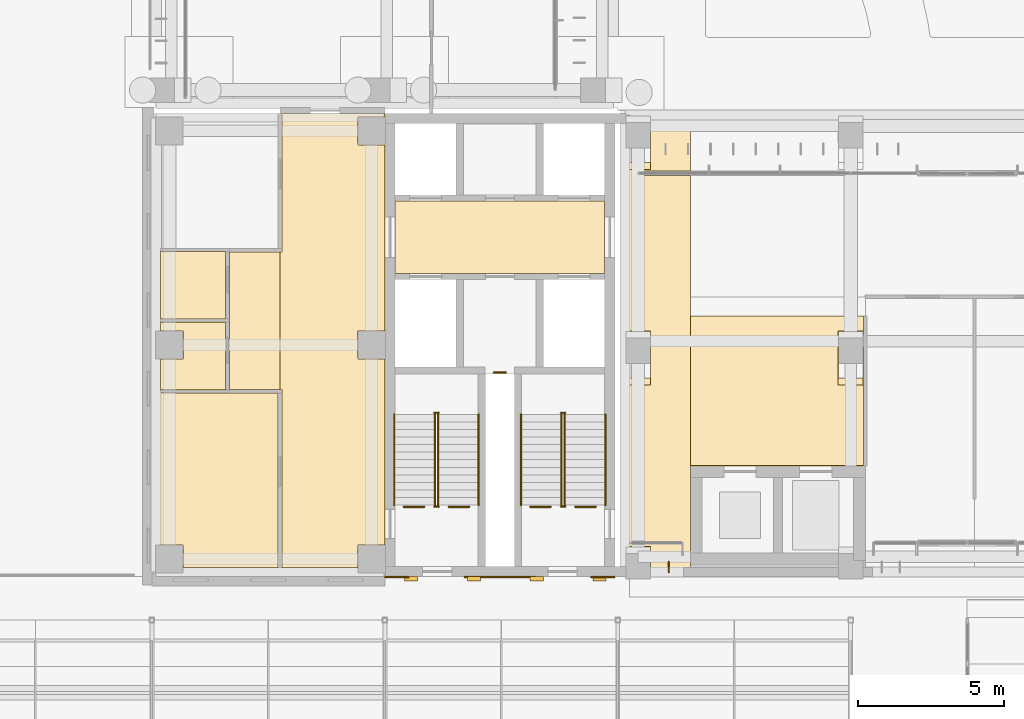
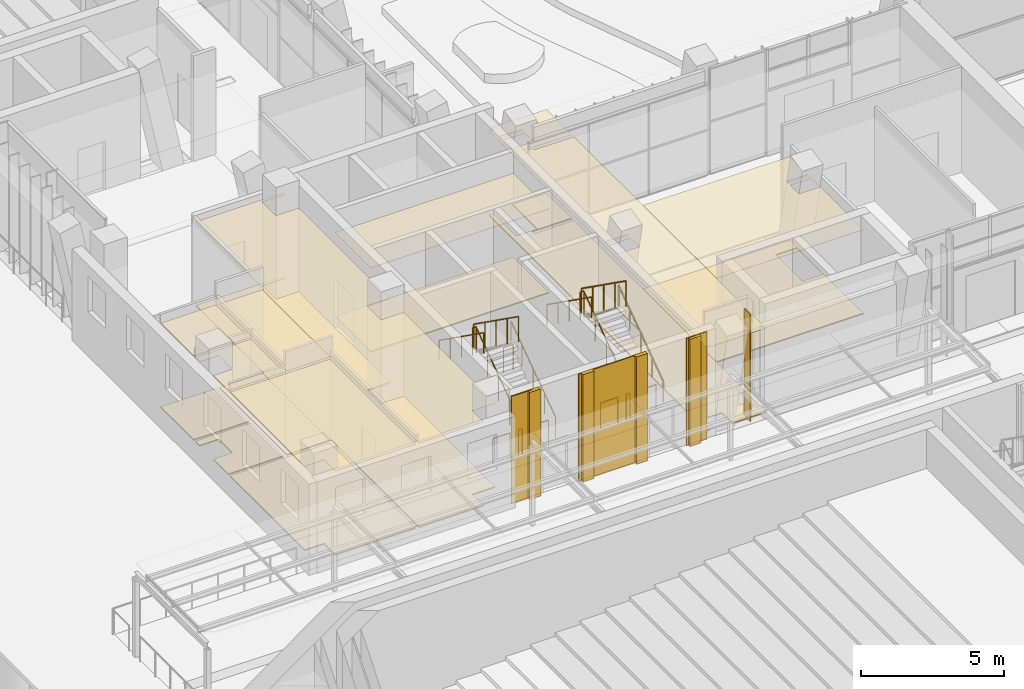
# One storey, part 121 of 144: 23 coverings, 17 railings, 1 shading device.
"""IFC4 building model written with IfcOpenShell, lengths in metres."""

from ifc_helpers import new_model, si_unit, direction, frame, frame_2d, origin, origin_2d, place, context, subcontext, project, spatial, polyline, rectangle, circle, outline, extrude, material, layer, layer_set, type_object, element, save


model = new_model("IFC4")

# Units and contexts
model_context = context("Model", 3, precision=1e-05, world=origin(), true_north=direction((0.0, 1.0)))
body_context = subcontext(model_context, "Body", "Model", "MODEL_VIEW")
ifc_project = project(units=[si_unit("LENGTHUNIT", "METRE"), si_unit("AREAUNIT", "SQUARE_METRE"), si_unit("VOLUMEUNIT", "CUBIC_METRE"), si_unit("PLANEANGLEUNIT", "RADIAN"), si_unit("MASSUNIT", "GRAM", prefix="KILO")], contexts=[model_context])

# Site, building, storey
site_placement = place(None, origin())
site = spatial("IfcSite", under=ifc_project, at=site_placement, CompositionType="ELEMENT")
building_placement = place(site_placement, origin())
building = spatial("IfcBuilding", under=site, at=building_placement, Name="Lantern Court Media Centre", CompositionType="ELEMENT")
storey_placement = place(building_placement, origin())
storey = spatial("IfcBuildingStorey", under=building, at=storey_placement, Name="L00", CompositionType="ELEMENT", Elevation=0.0)

# Coverings
ifc_material_1 = material(Name="Carpet")
ifc_layer_1 = layer(ifc_material_1, 0.050048828125)
ifc_layer_set_1 = layer_set([ifc_layer_1], Name="Carpet")
covering_type_1 = type_object("IfcCoveringType", Name="Carpet floor finish", PredefinedType="FLOORING", material=ifc_layer_set_1)
covering_1_placement = place(storey_placement, origin())
element("IfcCovering", 1, at=covering_1_placement, inside=storey, type_object=covering_type_1, Name="Fire Command Room floor finish", PredefinedType="FLOORING", context=body_context, shape_type="SweptSolid", body=[
    extrude(outline(polyline([(8.300048828125, 54.304931640625), (12.33251953125, 54.29248046875), (12.33251953125, 48.300048828125), (9.080078125, 48.300048828125), (9.07861328125, 49.07861328125), (8.300048828125, 49.080078125), (8.300048828125, 54.304931640625)])), origin(), (0.0, 0.0, 1.0), 0.050048828125),
])
covering_2_placement = place(storey_placement, origin())
element("IfcCovering", 2, at=covering_2_placement, inside=storey, type_object=covering_type_1, Name="WC Male floor finish", PredefinedType="FLOORING", context=body_context, shape_type="SweptSolid", body=[
    extrude(outline(polyline([(8.300048828125, 56.72900390625), (10.532470703125, 56.72900390625), (10.532470703125, 54.4150390625), (8.300048828125, 54.4150390625), (8.300048828125, 55.469970703125), (9.080078125, 55.47509765625), (9.0791015625, 56.427734375), (8.300048828125, 56.429931640625), (8.300048828125, 56.72900390625)])), origin(), (0.0, 0.0, 1.0), 0.050048828125),
])
covering_3_placement = place(storey_placement, origin())
element("IfcCovering", 3, at=covering_3_placement, inside=storey, type_object=covering_type_1, Name="WC Female floor finish", PredefinedType="FLOORING", context=body_context, shape_type="SweptSolid", body=[
    extrude(outline(polyline([(8.300048828125, 59.153076171875), (10.532470703125, 59.153076171875), (10.532470703125, 56.839111328125), (8.300048828125, 56.839111328125), (8.300048828125, 59.153076171875)])), origin(), (0.0, 0.0, 1.0), 0.050048828125),
])

# Railings
ifc_material_2 = material(Name="Powder-coated steel", Category="steel")
railing_type_1 = type_object("IfcRailingType", Name="Floor edge guard 1100", PredefinedType="GUARDRAIL", material=ifc_material_2)
railing_1_placement = place(storey_placement, frame((18.89990234375, 50.390380859375, 0.0)))
element("IfcRailing", 4, at=railing_1_placement, inside=storey, type_object=railing_type_1, Name="L00 opening guard 31", PredefinedType="GUARDRAIL", context=body_context, shape_type="SweptSolid", body=[
    extrude(circle(Radius=0.02392578125, at=origin_2d()), frame((0.0, 0.0, 1.076171875), z_axis=(-1.0, 0.0, 0.0), x_axis=(0.0, -1.0, 0.0)), (0.0, 0.0, 1.0), 0.70361328125),
    extrude(circle(Radius=0.02099609375, at=origin_2d()), origin(), (0.0, 0.0, 1.0), 1.052001953125),
    extrude(circle(Radius=0.02099609375, at=origin_2d()), frame((-0.70361328125, 0.0, 0.0)), (0.0, 0.0, 1.0), 1.052001953125),
])
railing_2_placement = place(storey_placement, frame((17.353759765625, 50.390380859375, 0.0)))
element("IfcRailing", 5, at=railing_2_placement, inside=storey, type_object=railing_type_1, Name="L00 opening guard 32", PredefinedType="GUARDRAIL", context=body_context, shape_type="SweptSolid", body=[
    extrude(circle(Radius=0.02392578125, at=origin_2d()), frame((0.0, 0.0, 1.076171875), z_axis=(-1.0, 0.0, 0.0), x_axis=(0.0, -1.0, 0.0)), (0.0, 0.0, 1.0), 0.703857421875),
    extrude(circle(Radius=0.02099609375, at=origin_2d()), origin(), (0.0, 0.0, 1.0), 1.052001953125),
    extrude(circle(Radius=0.02099609375, at=origin_2d()), frame((-0.703857421875, 0.0, 0.0)), (0.0, 0.0, 1.0), 1.052001953125),
])
for number, where, name in (
    (6, (23.25, 50.390380859375, 0.0), "L00 opening guard 33"),
    (7, (21.70361328125, 50.390380859375, 0.0), "L00 opening guard 34"),
):
    element("IfcRailing", number, at=place(storey_placement, frame(where)), inside=storey, type_object=railing_type_1, Name=name, PredefinedType="GUARDRAIL", context=body_context, shape_type="SweptSolid", body=[
        extrude(circle(Radius=0.02392578125, at=origin_2d()), frame((0.0, 0.0, 1.076171875), z_axis=(-1.0, 0.0, 0.0), x_axis=(0.0, -1.0, 0.0)), (0.0, 0.0, 1.0), 0.70361328125),
        extrude(circle(Radius=0.02099609375, at=origin_2d()), origin(), (0.0, 0.0, 1.0), 1.052001953125),
        extrude(circle(Radius=0.02099609375, at=origin_2d()), frame((-0.70361328125, 0.0, 0.0)), (0.0, 0.0, 1.0), 1.052001953125),
    ])
railing_3_placement = place(storey_placement, frame((20.14990234375, 55.010009765625, 0.0)))
element("IfcRailing", 8, at=railing_3_placement, inside=storey, type_object=railing_type_1, Name="L00 opening guard 35", PredefinedType="GUARDRAIL", context=body_context, shape_type="SweptSolid", body=[
    extrude(circle(Radius=0.02392578125, at=origin_2d()), frame((0.0, 0.0, 1.076171875), z_axis=(-1.0, 0.0, 0.0), x_axis=(0.0, -1.0, 0.0)), (0.0, 0.0, 1.0), 0.39990234375),
    extrude(circle(Radius=0.02099609375, at=origin_2d()), origin(), (0.0, 0.0, 1.0), 1.052001953125),
    extrude(circle(Radius=0.02099609375, at=origin_2d()), frame((-0.39990234375, 0.0, 0.0)), (0.0, 0.0, 1.0), 1.052001953125),
])

# Coverings
ifc_material_3 = material(Name="Honed limestone cladding", Category="masonry")
ifc_layer_2 = layer(ifc_material_3, 0.050048828125)
ifc_layer_set_2 = layer_set([ifc_layer_2], Name="Honed limestone cladding")
covering_type_2 = type_object("IfcCoveringType", Name="Limestone cladding panel 50", PredefinedType="CLADDING", material=ifc_layer_set_2)
covering_4_placement = place(storey_placement, frame((16.0, 47.97509765625, 0.0), z_axis=(0.0, 0.0, 1.0), x_axis=(1.0, 0.0, 0.0)))
element("IfcCovering", 9, at=covering_4_placement, inside=storey, type_object=covering_type_2, Name="Limestone cladding SW stair core", PredefinedType="CLADDING", context=body_context, shape_type="SweptSolid", body=[
    extrude(rectangle(XDim=0.824951171875, YDim=0.050048828125, at=frame_2d((0.41259765625, 0.0))), origin(), (0.0, 0.0, 1.0), 4.580078125),
])
covering_5_placement = place(storey_placement, frame((18.72509765625, 47.97509765625, 0.0), z_axis=(0.0, 0.0, 1.0), x_axis=(1.0, 0.0, 0.0)))
element("IfcCovering", 10, at=covering_5_placement, inside=storey, type_object=covering_type_2, Name="Limestone cladding SW stair core", PredefinedType="CLADDING", context=body_context, shape_type="SweptSolid", body=[
    extrude(rectangle(XDim=2.449951171875, YDim=0.050048828125, at=frame_2d((1.22509765625, 0.0))), origin(), (0.0, 0.0, 1.0), 4.580078125),
])
covering_6_placement = place(storey_placement, frame((23.074951171875, 47.97509765625, 0.0), z_axis=(0.0, 0.0, 1.0), x_axis=(1.0, 0.0, 0.0)))
element("IfcCovering", 11, at=covering_6_placement, inside=storey, type_object=covering_type_2, Name="Limestone cladding SW stair core", PredefinedType="CLADDING", context=body_context, shape_type="SweptSolid", body=[
    extrude(rectangle(XDim=0.824951171875, YDim=0.050048828125, at=frame_2d((0.41259765625, 0.0))), origin(), (0.0, 0.0, 1.0), 4.580078125),
])
ifc_layer_3 = layer(ifc_material_3, 0.14990234375)
ifc_layer_set_3 = layer_set([ifc_layer_3], Name="Honed limestone cladding")
covering_type_3 = type_object("IfcCoveringType", Name="Limestone pilaster cladding 150", PredefinedType="CLADDING", material=ifc_layer_set_3)
covering_7_placement = place(storey_placement, frame((16.675048828125, 47.925048828125, 0.0), z_axis=(0.0, 0.0, 1.0), x_axis=(1.0, 0.0, 0.0)))
element("IfcCovering", 12, at=covering_7_placement, inside=storey, type_object=covering_type_3, Name="Limestone pilaster rib", PredefinedType="CLADDING", context=body_context, shape_type="SweptSolid", body=[
    extrude(rectangle(XDim=0.449951171875, YDim=0.14990234375, at=frame_2d((0.22509765625, 0.0))), origin(), (0.0, 0.0, 1.0), 4.580078125),
])
covering_8_placement = place(storey_placement, frame((18.833251953125, 47.925048828125, 0.0), z_axis=(0.0, 0.0, 1.0), x_axis=(1.0, 0.0, 0.0)))
element("IfcCovering", 13, at=covering_8_placement, inside=storey, type_object=covering_type_3, Name="Limestone pilaster rib", PredefinedType="CLADDING", context=body_context, shape_type="SweptSolid", body=[
    extrude(rectangle(XDim=0.4501953125, YDim=0.14990234375, at=frame_2d((0.22509765625, 0.0))), origin(), (0.0, 0.0, 1.0), 4.580078125),
])
covering_9_placement = place(storey_placement, frame((20.99169921875, 47.925048828125, 0.0), z_axis=(0.0, 0.0, 1.0), x_axis=(1.0, 0.0, 0.0)))
element("IfcCovering", 14, at=covering_9_placement, inside=storey, type_object=covering_type_3, Name="Limestone pilaster rib", PredefinedType="CLADDING", context=body_context, shape_type="SweptSolid", body=[
    extrude(rectangle(XDim=0.449951171875, YDim=0.14990234375, at=frame_2d((0.22509765625, 0.0))), origin(), (0.0, 0.0, 1.0), 4.580078125),
])
covering_10_placement = place(storey_placement, frame((23.14990234375, 47.925048828125, 0.0), z_axis=(0.0, 0.0, 1.0), x_axis=(1.0, 0.0, 0.0)))
element("IfcCovering", 15, at=covering_10_placement, inside=storey, type_object=covering_type_3, Name="Limestone pilaster rib", PredefinedType="CLADDING", context=body_context, shape_type="SweptSolid", body=[
    extrude(rectangle(XDim=0.4501953125, YDim=0.14990234375, at=frame_2d((0.22509765625, 0.0))), origin(), (0.0, 0.0, 1.0), 4.580078125),
])

# Railings
railing_type_2 = type_object("IfcRailingType", Name="Stair guard 1100", PredefinedType="GUARDRAIL", material=ifc_material_2)
railing_4_placement = place(storey_placement, frame((17.825927734375, 50.449951171875, 0.1845703125)))
element("IfcRailing", 16, at=railing_4_placement, inside=storey, type_object=railing_type_2, Name="L00 ST-SWA stair guard 1", PredefinedType="GUARDRAIL", context=body_context, shape_type="SweptSolid", body=[
    extrude(circle(Radius=0.02392578125, at=origin_2d()), frame((0.0, 0.0, 1.076171875), z_axis=(0.0, 0.815376961211, 0.578930402662), x_axis=(-1.0, 0.0, 0.0)), (0.0, 0.0, 1.0), 3.82666015625),
    extrude(circle(Radius=0.02099609375, at=origin_2d()), origin(), (0.0, 0.0, 1.0), 1.052001953125),
    extrude(circle(Radius=0.02099609375, at=origin_2d()), frame((0.0, 0.780029296875, 0.5537109375)), (0.0, 0.0, 1.0), 1.052001953125),
    extrude(circle(Radius=0.02099609375, at=origin_2d()), frame((0.0, 1.56005859375, 1.107666015625)), (0.0, 0.0, 1.0), 1.052001953125),
    extrude(circle(Radius=0.02099609375, at=origin_2d()), frame((0.0, 2.340087890625, 1.66162109375)), (0.0, 0.0, 1.0), 1.052001953125),
    extrude(circle(Radius=0.02099609375, at=origin_2d()), frame((0.0, 3.1201171875, 2.21533203125)), (0.0, 0.0, 1.0), 1.052001953125),
])
railing_5_placement = place(storey_placement, frame((17.85009765625, 53.6201171875, 2.39990234375)))
element("IfcRailing", 17, at=railing_5_placement, inside=storey, type_object=railing_type_2, Name="L00 ST-SWA stair guard 2", PredefinedType="GUARDRAIL", context=body_context, shape_type="SweptSolid", body=[
    extrude(circle(Radius=0.02392578125, at=origin_2d()), frame((0.0, 0.0, 1.076171875), z_axis=(-1.0, 0.0, 0.0), x_axis=(0.0, -1.0, 0.0)), (0.0, 0.0, 1.0), 0.150146484375),
    extrude(circle(Radius=0.02099609375, at=origin_2d()), origin(), (0.0, 0.0, 1.0), 1.052001953125),
    extrude(circle(Radius=0.02099609375, at=origin_2d()), frame((-0.150146484375, 0.0, 0.0)), (0.0, 0.0, 1.0), 1.052001953125),
])
railing_6_placement = place(storey_placement, frame((17.72412109375, 53.570068359375, 2.584716796875)))
element("IfcRailing", 18, at=railing_6_placement, inside=storey, type_object=railing_type_2, Name="L00 ST-SWA stair guard 3", PredefinedType="GUARDRAIL", context=body_context, shape_type="SweptSolid", body=[
    extrude(circle(Radius=0.02392578125, at=origin_2d()), frame((0.0, 0.0, 1.076171875), z_axis=(0.0, -0.815376961211, 0.578930402662), x_axis=(1.0, 0.0, 0.0)), (0.0, 0.0, 1.0), 3.82666015625),
    extrude(circle(Radius=0.02099609375, at=origin_2d()), origin(), (0.0, 0.0, 1.0), 1.052001953125),
    extrude(circle(Radius=0.02099609375, at=origin_2d()), frame((0.0, -0.780029296875, 0.5537109375)), (0.0, 0.0, 1.0), 1.052001953125),
    extrude(circle(Radius=0.02099609375, at=origin_2d()), frame((0.0, -1.56005859375, 1.107666015625)), (0.0, 0.0, 1.0), 1.052001953125),
    extrude(circle(Radius=0.02099609375, at=origin_2d()), frame((0.0, -2.340087890625, 1.66162109375)), (0.0, 0.0, 1.0), 1.052001953125),
    extrude(circle(Radius=0.02099609375, at=origin_2d()), frame((0.0, -3.1201171875, 2.21533203125)), (0.0, 0.0, 1.0), 1.052001953125),
])
railing_7_placement = place(storey_placement, frame((17.85009765625, 50.39990234375, 0.0)))
element("IfcRailing", 19, at=railing_7_placement, inside=storey, type_object=railing_type_2, Name="L00 ST-SWA stair guard 4", PredefinedType="GUARDRAIL", context=body_context, shape_type="SweptSolid", body=[
    extrude(circle(Radius=0.02392578125, at=origin_2d()), frame((0.0, 0.0, 1.076171875), z_axis=(-1.0, 0.0, 0.0), x_axis=(0.0, -1.0, 0.0)), (0.0, 0.0, 1.0), 0.150146484375),
    extrude(circle(Radius=0.02099609375, at=origin_2d()), origin(), (0.0, 0.0, 1.0), 1.052001953125),
    extrude(circle(Radius=0.02099609375, at=origin_2d()), frame((-0.150146484375, 0.0, 0.0)), (0.0, 0.0, 1.0), 1.052001953125),
])
railing_8_placement = place(storey_placement, frame((22.176025390625, 50.449951171875, 0.1845703125)))
element("IfcRailing", 20, at=railing_8_placement, inside=storey, type_object=railing_type_2, Name="L00 ST-SWB stair guard 1", PredefinedType="GUARDRAIL", context=body_context, shape_type="SweptSolid", body=[
    extrude(circle(Radius=0.02392578125, at=origin_2d()), frame((0.0, 0.0, 1.076171875), z_axis=(0.0, 0.815376961211, 0.578930402662), x_axis=(-1.0, 0.0, 0.0)), (0.0, 0.0, 1.0), 3.82666015625),
    extrude(circle(Radius=0.02099609375, at=origin_2d()), origin(), (0.0, 0.0, 1.0), 1.052001953125),
    extrude(circle(Radius=0.02099609375, at=origin_2d()), frame((0.0, 0.780029296875, 0.5537109375)), (0.0, 0.0, 1.0), 1.052001953125),
    extrude(circle(Radius=0.02099609375, at=origin_2d()), frame((0.0, 1.56005859375, 1.107666015625)), (0.0, 0.0, 1.0), 1.052001953125),
    extrude(circle(Radius=0.02099609375, at=origin_2d()), frame((0.0, 2.340087890625, 1.66162109375)), (0.0, 0.0, 1.0), 1.052001953125),
    extrude(circle(Radius=0.02099609375, at=origin_2d()), frame((0.0, 3.1201171875, 2.21533203125)), (0.0, 0.0, 1.0), 1.052001953125),
])
railing_9_placement = place(storey_placement, frame((22.199951171875, 53.6201171875, 2.39990234375)))
element("IfcRailing", 21, at=railing_9_placement, inside=storey, type_object=railing_type_2, Name="L00 ST-SWB stair guard 2", PredefinedType="GUARDRAIL", context=body_context, shape_type="SweptSolid", body=[
    extrude(circle(Radius=0.02392578125, at=origin_2d()), frame((0.0, 0.0, 1.076171875), z_axis=(-1.0, 0.0, 0.0), x_axis=(0.0, -1.0, 0.0)), (0.0, 0.0, 1.0), 0.14990234375),
    extrude(circle(Radius=0.02099609375, at=origin_2d()), origin(), (0.0, 0.0, 1.0), 1.052001953125),
    extrude(circle(Radius=0.02099609375, at=origin_2d()), frame((-0.14990234375, 0.0, 0.0)), (0.0, 0.0, 1.0), 1.052001953125),
])
railing_10_placement = place(storey_placement, frame((22.073974609375, 53.570068359375, 2.584716796875)))
element("IfcRailing", 22, at=railing_10_placement, inside=storey, type_object=railing_type_2, Name="L00 ST-SWB stair guard 3", PredefinedType="GUARDRAIL", context=body_context, shape_type="SweptSolid", body=[
    extrude(circle(Radius=0.02392578125, at=origin_2d()), frame((0.0, 0.0, 1.076171875), z_axis=(0.0, -0.815376961211, 0.578930402662), x_axis=(1.0, 0.0, 0.0)), (0.0, 0.0, 1.0), 3.82666015625),
    extrude(circle(Radius=0.02099609375, at=origin_2d()), origin(), (0.0, 0.0, 1.0), 1.052001953125),
    extrude(circle(Radius=0.02099609375, at=origin_2d()), frame((0.0, -0.780029296875, 0.5537109375)), (0.0, 0.0, 1.0), 1.052001953125),
    extrude(circle(Radius=0.02099609375, at=origin_2d()), frame((0.0, -1.56005859375, 1.107666015625)), (0.0, 0.0, 1.0), 1.052001953125),
    extrude(circle(Radius=0.02099609375, at=origin_2d()), frame((0.0, -2.340087890625, 1.66162109375)), (0.0, 0.0, 1.0), 1.052001953125),
    extrude(circle(Radius=0.02099609375, at=origin_2d()), frame((0.0, -3.1201171875, 2.21533203125)), (0.0, 0.0, 1.0), 1.052001953125),
])
railing_11_placement = place(storey_placement, frame((22.199951171875, 50.39990234375, 0.0)))
element("IfcRailing", 23, at=railing_11_placement, inside=storey, type_object=railing_type_2, Name="L00 ST-SWB stair guard 4", PredefinedType="GUARDRAIL", context=body_context, shape_type="SweptSolid", body=[
    extrude(circle(Radius=0.02392578125, at=origin_2d()), frame((0.0, 0.0, 1.076171875), z_axis=(-1.0, 0.0, 0.0), x_axis=(0.0, -1.0, 0.0)), (0.0, 0.0, 1.0), 0.14990234375),
    extrude(circle(Radius=0.02099609375, at=origin_2d()), origin(), (0.0, 0.0, 1.0), 1.052001953125),
    extrude(circle(Radius=0.02099609375, at=origin_2d()), frame((-0.14990234375, 0.0, 0.0)), (0.0, 0.0, 1.0), 1.052001953125),
])
railing_type_3 = type_object("IfcRailingType", Name="Stair handrail 900", PredefinedType="HANDRAIL", material=ifc_material_2)
railing_12_placement = place(storey_placement, frame((19.22412109375, 50.449951171875, 0.1845703125)))
element("IfcRailing", 24, at=railing_12_placement, inside=storey, type_object=railing_type_3, Name="L00 ST-SWA stair handrail 1", PredefinedType="HANDRAIL", context=body_context, shape_type="SweptSolid", body=[
    extrude(circle(Radius=0.02392578125, at=origin_2d()), frame((0.0, 0.0, 0.8759765625), z_axis=(0.0, 0.815376961211, 0.578930402662), x_axis=(-1.0, 0.0, 0.0)), (0.0, 0.0, 1.0), 3.82666015625),
    extrude(circle(Radius=0.02099609375, at=origin_2d()), origin(), (0.0, 0.0, 1.0), 0.851806640625),
    extrude(circle(Radius=0.02099609375, at=origin_2d()), frame((0.0, 0.780029296875, 0.5537109375)), (0.0, 0.0, 1.0), 0.851806640625),
    extrude(circle(Radius=0.02099609375, at=origin_2d()), frame((0.0, 1.56005859375, 1.107666015625)), (0.0, 0.0, 1.0), 0.851806640625),
    extrude(circle(Radius=0.02099609375, at=origin_2d()), frame((0.0, 2.340087890625, 1.66162109375)), (0.0, 0.0, 1.0), 0.851806640625),
    extrude(circle(Radius=0.02099609375, at=origin_2d()), frame((0.0, 3.1201171875, 2.21533203125)), (0.0, 0.0, 1.0), 0.851806640625),
])
railing_13_placement = place(storey_placement, frame((16.325927734375, 53.570068359375, 2.584716796875)))
element("IfcRailing", 25, at=railing_13_placement, inside=storey, type_object=railing_type_3, Name="L00 ST-SWA stair handrail 2", PredefinedType="HANDRAIL", context=body_context, shape_type="SweptSolid", body=[
    extrude(circle(Radius=0.02392578125, at=origin_2d()), frame((0.0, 0.0, 0.8759765625), z_axis=(0.0, -0.815376961211, 0.578930402662), x_axis=(1.0, 0.0, 0.0)), (0.0, 0.0, 1.0), 3.82666015625),
    extrude(circle(Radius=0.02099609375, at=origin_2d()), origin(), (0.0, 0.0, 1.0), 0.851806640625),
    extrude(circle(Radius=0.02099609375, at=origin_2d()), frame((0.0, -0.780029296875, 0.5537109375)), (0.0, 0.0, 1.0), 0.851806640625),
    extrude(circle(Radius=0.02099609375, at=origin_2d()), frame((0.0, -1.56005859375, 1.107666015625)), (0.0, 0.0, 1.0), 0.851806640625),
    extrude(circle(Radius=0.02099609375, at=origin_2d()), frame((0.0, -2.340087890625, 1.66162109375)), (0.0, 0.0, 1.0), 0.851806640625),
    extrude(circle(Radius=0.02099609375, at=origin_2d()), frame((0.0, -3.1201171875, 2.21533203125)), (0.0, 0.0, 1.0), 0.851806640625),
])
railing_14_placement = place(storey_placement, frame((23.573974609375, 50.449951171875, 0.1845703125)))
element("IfcRailing", 26, at=railing_14_placement, inside=storey, type_object=railing_type_3, Name="L00 ST-SWB stair handrail 1", PredefinedType="HANDRAIL", context=body_context, shape_type="SweptSolid", body=[
    extrude(circle(Radius=0.02392578125, at=origin_2d()), frame((0.0, 0.0, 0.8759765625), z_axis=(0.0, 0.815376961211, 0.578930402662), x_axis=(-1.0, 0.0, 0.0)), (0.0, 0.0, 1.0), 3.82666015625),
    extrude(circle(Radius=0.02099609375, at=origin_2d()), origin(), (0.0, 0.0, 1.0), 0.851806640625),
    extrude(circle(Radius=0.02099609375, at=origin_2d()), frame((0.0, 0.780029296875, 0.5537109375)), (0.0, 0.0, 1.0), 0.851806640625),
    extrude(circle(Radius=0.02099609375, at=origin_2d()), frame((0.0, 1.56005859375, 1.107666015625)), (0.0, 0.0, 1.0), 0.851806640625),
    extrude(circle(Radius=0.02099609375, at=origin_2d()), frame((0.0, 2.340087890625, 1.66162109375)), (0.0, 0.0, 1.0), 0.851806640625),
    extrude(circle(Radius=0.02099609375, at=origin_2d()), frame((0.0, 3.1201171875, 2.21533203125)), (0.0, 0.0, 1.0), 0.851806640625),
])
railing_15_placement = place(storey_placement, frame((20.676025390625, 53.570068359375, 2.584716796875)))
element("IfcRailing", 27, at=railing_15_placement, inside=storey, type_object=railing_type_3, Name="L00 ST-SWB stair handrail 2", PredefinedType="HANDRAIL", context=body_context, shape_type="SweptSolid", body=[
    extrude(circle(Radius=0.02392578125, at=origin_2d()), frame((0.0, 0.0, 0.8759765625), z_axis=(0.0, -0.815376961211, 0.578930402662), x_axis=(1.0, 0.0, 0.0)), (0.0, 0.0, 1.0), 3.82666015625),
    extrude(circle(Radius=0.02099609375, at=origin_2d()), origin(), (0.0, 0.0, 1.0), 0.851806640625),
    extrude(circle(Radius=0.02099609375, at=origin_2d()), frame((0.0, -0.780029296875, 0.5537109375)), (0.0, 0.0, 1.0), 0.851806640625),
    extrude(circle(Radius=0.02099609375, at=origin_2d()), frame((0.0, -1.56005859375, 1.107666015625)), (0.0, 0.0, 1.0), 0.851806640625),
    extrude(circle(Radius=0.02099609375, at=origin_2d()), frame((0.0, -2.340087890625, 1.66162109375)), (0.0, 0.0, 1.0), 0.851806640625),
    extrude(circle(Radius=0.02099609375, at=origin_2d()), frame((0.0, -3.1201171875, 2.21533203125)), (0.0, 0.0, 1.0), 0.851806640625),
])

# Coverings
ifc_material_4 = material(Name="Mineral fibre ceiling tile")
ifc_layer_4 = layer(ifc_material_4, 0.02001953125)
ifc_layer_set_4 = layer_set([ifc_layer_4], Name="Mineral fibre ceiling tile")
covering_type_4 = type_object("IfcCoveringType", Name="Suspended ceiling tile", PredefinedType="CEILING", material=ifc_layer_set_4)
covering_11_placement = place(storey_placement, frame((0.0, 0.0, 3.60009765625)))
element("IfcCovering", 28, at=covering_11_placement, inside=storey, type_object=covering_type_4, Name="End Lobby ceiling", PredefinedType="CEILING", context=body_context, shape_type="SweptSolid", body=[
    extrude(outline(polyline([(26.5, 48.300537109375), (24.275390625, 48.300048828125), (24.275146484375, 48.3505859375), (24.10009765625, 48.3505859375), (24.10009765625, 63.549560546875), (24.275390625, 63.549560546875), (24.275390625, 63.699951171875), (26.5, 63.699951171875), (26.5, 61.925537109375), (24.8994140625, 61.925048828125), (24.89990234375, 61.7744140625), (26.5, 61.7744140625), (26.5, 48.300537109375)]), holes=[polyline([(25.125, 54.822509765625), (25.125244140625, 55.425537109375), (24.274658203125, 55.42529296875), (24.274658203125, 54.822509765625), (25.125, 54.822509765625)]), polyline([(25.125, 62.222412109375), (25.125244140625, 62.825439453125), (24.274658203125, 62.8251953125), (24.274658203125, 62.222412109375), (25.125, 62.222412109375)]), polyline([(25.125, 62.974609375), (25.125, 63.073486328125), (24.2744140625, 63.072998046875), (24.27490234375, 62.974609375), (25.125, 62.974609375)]), polyline([(25.125, 55.574462890625), (25.125, 55.67333984375), (24.2744140625, 55.6728515625), (24.27490234375, 55.574462890625), (25.125, 55.574462890625)])]), origin(), (0.0, 0.0, 1.0), 0.02001953125),
])
covering_12_placement = place(storey_placement, frame((0.0, 0.0, 3.60009765625)))
element("IfcCovering", 29, at=covering_12_placement, inside=storey, type_object=covering_type_4, Name="Lift Lobby ceiling", PredefinedType="CEILING", context=body_context, shape_type="SweptSolid", body=[
    extrude(outline(polyline([(26.5, 56.949951171875), (32.43701171875, 56.949951171875), (32.43701171875, 51.800537109375), (26.5, 51.800537109375), (26.5, 56.949951171875)]), holes=[polyline([(32.425048828125, 54.822509765625), (32.42529296875, 55.425537109375), (31.574462890625, 55.42529296875), (31.57470703125, 54.822509765625), (32.425048828125, 54.822509765625)]), polyline([(32.425048828125, 55.574462890625), (32.425048828125, 55.67333984375), (31.574462890625, 55.6728515625), (31.574951171875, 55.574462890625), (32.425048828125, 55.574462890625)])]), origin(), (0.0, 0.0, 1.0), 0.02001953125),
])
covering_13_placement = place(storey_placement, frame((0.0, 0.0, 3.60009765625)))
element("IfcCovering", 30, at=covering_13_placement, inside=storey, type_object=covering_type_4, Name="Lift Lobby ceiling", PredefinedType="CEILING", context=body_context, shape_type="SweptSolid", body=[
    extrude(outline(polyline([(16.3505859375, 60.8994140625), (23.549560546875, 60.8994140625), (23.549560546875, 58.400390625), (16.3505859375, 58.400390625), (16.3505859375, 60.8994140625)])), origin(), (0.0, 0.0, 1.0), 0.02001953125),
])
covering_14_placement = place(storey_placement, frame((0.0, 0.0, 3.60009765625)))
element("IfcCovering", 31, at=covering_14_placement, inside=storey, type_object=covering_type_4, Name="Corridor ceiling", PredefinedType="CEILING", context=body_context, shape_type="SweptSolid", body=[
    extrude(outline(polyline([(12.39990234375, 59.14501953125), (12.462890625, 59.1455078125), (12.462890625, 63.8994140625), (15.99951171875, 63.8994140625), (15.99951171875, 63.775390625), (15.074462890625, 63.775146484375), (15.07470703125, 62.82470703125), (15.99951171875, 62.824462890625), (15.99951171875, 56.425537109375), (15.074462890625, 56.425048828125), (15.07470703125, 55.474609375), (15.99951171875, 55.474609375), (15.99951171875, 49.075439453125), (15.07470703125, 49.075439453125), (15.074462890625, 48.300048828125), (12.462890625, 48.300048828125), (12.462890625, 54.422607421875), (12.39990234375, 54.423095703125), (12.39990234375, 59.14501953125)])), origin(), (0.0, 0.0, 1.0), 0.02001953125),
])
covering_15_placement = place(storey_placement, frame((0.0, 0.0, 3.60009765625)))
element("IfcCovering", 32, at=covering_15_placement, inside=storey, type_object=covering_type_4, Name="Fire Command Room ceiling", PredefinedType="CEILING", context=body_context, shape_type="SweptSolid", body=[
    extrude(outline(polyline([(8.300048828125, 54.3095703125), (12.3369140625, 54.297119140625), (12.3369140625, 48.300048828125), (9.075439453125, 48.300048828125), (9.075439453125, 49.075439453125), (8.300048828125, 49.075439453125), (8.300048828125, 54.3095703125)])), origin(), (0.0, 0.0, 1.0), 0.02001953125),
])
covering_16_placement = place(storey_placement, frame((0.0, 0.0, 3.60009765625)))
element("IfcCovering", 33, at=covering_16_placement, inside=storey, type_object=covering_type_4, Name="WC Lobby ceiling", PredefinedType="CEILING", context=body_context, shape_type="SweptSolid", body=[
    extrude(outline(polyline([(12.39990234375, 54.423095703125), (10.6630859375, 54.423095703125), (10.6630859375, 59.14501953125), (12.39990234375, 59.14501953125), (12.39990234375, 54.423095703125)])), origin(), (0.0, 0.0, 1.0), 0.02001953125),
])
covering_17_placement = place(storey_placement, frame((0.0, 0.0, 3.60009765625)))
element("IfcCovering", 34, at=covering_17_placement, inside=storey, type_object=covering_type_4, Name="WC Male ceiling", PredefinedType="CEILING", context=body_context, shape_type="SweptSolid", body=[
    extrude(outline(polyline([(8.300048828125, 56.7333984375), (10.537109375, 56.7333984375), (10.537109375, 54.410400390625), (8.300048828125, 54.410400390625), (8.300048828125, 55.474609375), (9.075439453125, 55.47509765625), (9.075439453125, 56.42529296875), (8.300048828125, 56.425537109375), (8.300048828125, 56.7333984375)])), origin(), (0.0, 0.0, 1.0), 0.02001953125),
])
covering_18_placement = place(storey_placement, frame((0.0, 0.0, 3.60009765625)))
element("IfcCovering", 35, at=covering_18_placement, inside=storey, type_object=covering_type_4, Name="WC Female ceiling", PredefinedType="CEILING", context=body_context, shape_type="SweptSolid", body=[
    extrude(outline(polyline([(8.300048828125, 59.157470703125), (10.537109375, 59.157470703125), (10.537109375, 56.83447265625), (8.300048828125, 56.83447265625), (8.300048828125, 59.157470703125)])), origin(), (0.0, 0.0, 1.0), 0.02001953125),
])
ifc_material_5 = material(Name="Terrazzo")
ifc_layer_5 = layer(ifc_material_5, 0.050048828125)
ifc_layer_set_5 = layer_set([ifc_layer_5], Name="Terrazzo")
covering_type_5 = type_object("IfcCoveringType", Name="Terrazzo floor finish", PredefinedType="FLOORING", material=ifc_layer_set_5)
covering_19_placement = place(storey_placement, origin())
element("IfcCovering", 36, at=covering_19_placement, inside=storey, type_object=covering_type_5, Name="End Lobby floor finish", PredefinedType="FLOORING", context=body_context, shape_type="SweptSolid", body=[
    extrude(outline(polyline([(26.5, 48.304931640625), (25.1298828125, 48.300048828125), (25.125, 49.030029296875), (24.272216796875, 49.029052734375), (24.27001953125, 48.35498046875), (24.10009765625, 48.35498046875), (24.10009765625, 63.544921875), (24.27001953125, 63.544921875), (24.270751953125, 61.97216796875), (25.1259765625, 61.97021484375), (25.1298828125, 63.699951171875), (26.5, 63.699951171875), (26.5, 61.929931640625), (24.89501953125, 61.925048828125), (24.8994140625, 61.77001953125), (26.5, 61.77001953125), (26.5, 48.304931640625)]), holes=[polyline([(24.27001953125, 54.574951171875), (25.129638671875, 54.572998046875), (25.126953125, 56.4296875), (24.270263671875, 56.427001953125), (24.27001953125, 54.574951171875)])]), origin(), (0.0, 0.0, 1.0), 0.050048828125),
])
covering_20_placement = place(storey_placement, origin())
element("IfcCovering", 37, at=covering_20_placement, inside=storey, type_object=covering_type_5, Name="Lift Lobby floor finish", PredefinedType="FLOORING", context=body_context, shape_type="SweptSolid", body=[
    extrude(outline(polyline([(26.5, 56.949951171875), (32.4326171875, 56.949951171875), (32.4326171875, 51.804931640625), (26.5, 51.804931640625), (26.5, 56.949951171875)]), holes=[polyline([(31.570068359375, 54.574951171875), (32.4296875, 54.572998046875), (32.427001953125, 56.4296875), (31.5703125, 56.427001953125), (31.570068359375, 54.574951171875)])]), origin(), (0.0, 0.0, 1.0), 0.050048828125),
])
covering_21_placement = place(storey_placement, origin())
element("IfcCovering", 38, at=covering_21_placement, inside=storey, type_object=covering_type_5, Name="Lift Lobby floor finish", PredefinedType="FLOORING", context=body_context, shape_type="SweptSolid", body=[
    extrude(outline(polyline([(16.35498046875, 60.89501953125), (23.544921875, 60.89501953125), (23.544921875, 58.405029296875), (16.35498046875, 58.405029296875), (16.35498046875, 60.89501953125)])), origin(), (0.0, 0.0, 1.0), 0.050048828125),
])
covering_22_placement = place(storey_placement, origin())
element("IfcCovering", 39, at=covering_22_placement, inside=storey, type_object=covering_type_5, Name="Corridor floor finish", PredefinedType="FLOORING", context=body_context, shape_type="SweptSolid", body=[
    extrude(outline(polyline([(12.39990234375, 59.140380859375), (12.467529296875, 59.1455078125), (12.467529296875, 63.89501953125), (15.9951171875, 63.89501953125), (15.9951171875, 63.780029296875), (15.070068359375, 63.775390625), (15.071533203125, 62.821533203125), (15.9951171875, 62.820068359375), (15.9951171875, 56.429931640625), (15.070068359375, 56.425048828125), (15.071533203125, 55.471435546875), (15.9951171875, 55.469970703125), (15.9951171875, 49.080078125), (15.07177734375, 49.078857421875), (15.070068359375, 48.300048828125), (12.467529296875, 48.300048828125), (12.467529296875, 54.422607421875), (12.39990234375, 54.427490234375), (12.39990234375, 59.140380859375)])), origin(), (0.0, 0.0, 1.0), 0.050048828125),
])
covering_23_placement = place(storey_placement, origin())
element("IfcCovering", 40, at=covering_23_placement, inside=storey, type_object=covering_type_5, Name="WC Lobby floor finish", PredefinedType="FLOORING", context=body_context, shape_type="SweptSolid", body=[
    extrude(outline(polyline([(12.39990234375, 54.427490234375), (10.66748046875, 54.427490234375), (10.66748046875, 59.140380859375), (12.39990234375, 59.140380859375), (12.39990234375, 54.427490234375)])), origin(), (0.0, 0.0, 1.0), 0.050048828125),
])

# Shading device
ifc_material_6 = material(Name="Bronze anodised aluminium louvre", Category="aluminium")
ifc_layer_6 = layer(ifc_material_6, 0.0400390625)
ifc_layer_set_6 = layer_set([ifc_layer_6], Name="Bronze anodised aluminium louvre")
shading_device_type = type_object("IfcShadingDeviceType", Name="Vertical louvre 40x400 full storey", PredefinedType="USERDEFINED", material=ifc_layer_set_6)
shading_device_placement = place(storey_placement, frame((25.75, 48.320068359375, 0.0), z_axis=(0.0, 0.0, 1.0), x_axis=(1.0, 0.0, 0.0)))
element("IfcShadingDevice", 41, at=shading_device_placement, inside=storey, type_object=shading_device_type, Name="Vertical louvre S outer L00", ObjectType="VERTICAL LOUVRE", PredefinedType="USERDEFINED", context=body_context, shape_type="SweptSolid", body=[
    extrude(rectangle(XDim=0.0400390625, YDim=0.39990234375, at=origin_2d()), origin(), (0.0, 0.0, 1.0), 4.580078125),
])

save(model, "model.ifc")
